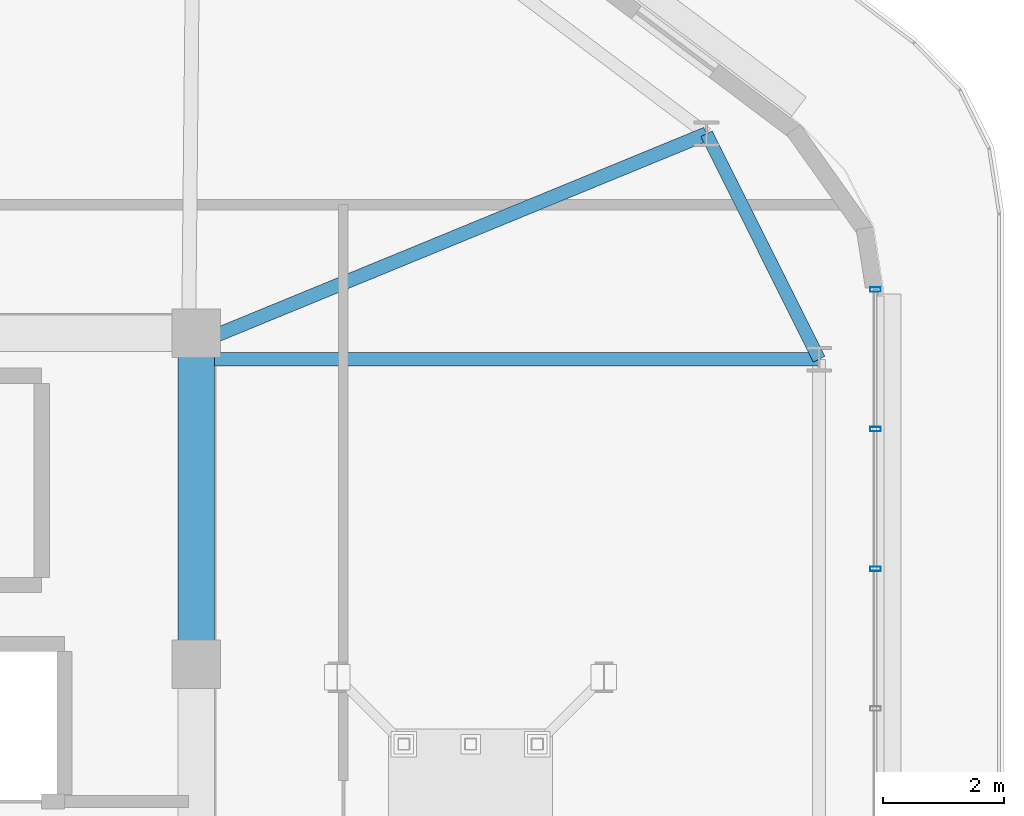
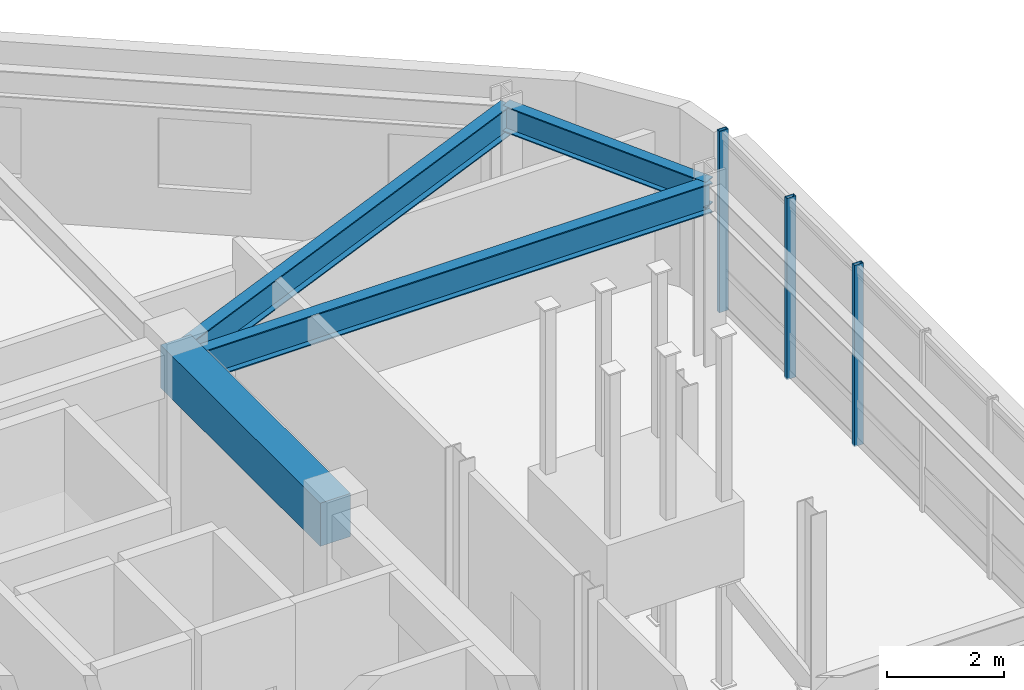
# One storey, part 4 of 13: 4 beams, 3 members, 1 element without a shape of its own.
"""IFC4 building model written with IfcOpenShell, lengths in metres."""

from ifc_helpers import new_model, si_unit, direction, frame, origin, origin_2d, place, context, subcontext, project, spatial, rectangle, hollow_rectangle, i_section, extrude, material, material_profile, profile_set, type_object, element, aggregate, save


model = new_model("IFC4")

# Units and contexts
model_context = context("Model", 3, precision=1e-05, world=origin(), true_north=direction((0.0, 1.0)))
body_context = subcontext(model_context, "Body", "Model", "MODEL_VIEW")
ifc_project = project(units=[si_unit("LENGTHUNIT", "METRE"), si_unit("AREAUNIT", "SQUARE_METRE"), si_unit("VOLUMEUNIT", "CUBIC_METRE"), si_unit("PLANEANGLEUNIT", "RADIAN"), si_unit("MASSUNIT", "GRAM", prefix="KILO")], contexts=[model_context])

# Site, building, storey
site_placement = place(None, origin())
site = spatial("IfcSite", under=ifc_project, at=site_placement, CompositionType="ELEMENT")
building_placement = place(site_placement, origin())
building = spatial("IfcBuilding", under=site, at=building_placement, Name="Zulverin Broadcast Headquarters", CompositionType="ELEMENT")
storey_placement = place(building_placement, frame((0.0, 0.0, 313.39990234375)))
storey = spatial("IfcBuildingStorey", under=building, at=storey_placement, Name="C1", CompositionType="ELEMENT", Elevation=313.39990234375)

# Beams
ifc_material_1 = material(Name="Concrete C60/75", Category="concrete")
ifc_material_profile_1 = material_profile(ifc_material_1, rectangle(XDim=0.60009765625, YDim=0.89990234375, at=origin_2d()), Name="Concrete C60/75", Category="concrete")
ifc_profile_set_1 = profile_set([ifc_material_profile_1], Name="Concrete C60/75")
beam_type_1 = type_object("IfcBeamType", Name="BM-CB-600x900", PredefinedType="LINTEL", material=ifc_profile_set_1)
beam_1_placement = place(storey_placement, frame((48.27490234375, 27.6201171875, 3.27001953125), z_axis=(0.0, 1.0, 0.0), x_axis=(-1.0, 0.0, 0.0)))
element("IfcBeam", 1, at=beam_1_placement, inside=storey, type_object=beam_type_1, Name="C1 Core Coupling Girder K04-K05", PredefinedType="LINTEL", context=body_context, shape_type="SweptSolid", body=[
    extrude(rectangle(XDim=0.60009765625, YDim=0.89990234375, at=origin_2d()), origin(), (0.0, 0.0, 1.0), 5.454833984375),
])
ifc_material_2 = material(Name="Structural steel S355JR", Category="steel")
ifc_material_profile_2 = material_profile(ifc_material_2, i_section(OverallWidth=0.2119140625, OverallDepth=0.54443359375, WebThickness=0.0126953125, FlangeThickness=0.021240234375, at=origin_2d()), Name="Structural steel S355JR", Category="steel")
ifc_profile_set_2 = profile_set([ifc_material_profile_2], Name="Structural steel S355JR")
beam_type_2 = type_object("IfcBeamType", Name="BM-UB-533", PredefinedType="SPANDREL", material=ifc_profile_set_2)
beam_2_placement = place(storey_placement, frame((58.550048828125, 32.648193359375, 3.447998046875), z_axis=(-0.446767242371, 0.894650228382, 0.0), x_axis=(-0.894650228382, -0.446767242371, 0.0)))
element("IfcBeam", 2, at=beam_2_placement, inside=storey, type_object=beam_type_2, Name="C1 Perimeter Spandrel Beam SP-06", PredefinedType="SPANDREL", context=body_context, shape_type="SweptSolid", body=[
    extrude(i_section(OverallWidth=0.2119140625, OverallDepth=0.54443359375, WebThickness=0.0126953125, FlangeThickness=0.021240234375, at=origin_2d()), origin(), (0.0, 0.0, 1.0), 4.157470703125),
])
ifc_material_profile_3 = material_profile(ifc_material_2, i_section(OverallWidth=0.230224609375, OverallDepth=0.6171875, WebThickness=0.01318359375, FlangeThickness=0.022216796875, at=origin_2d()), Name="Structural steel S355JR", Category="steel")
ifc_profile_set_3 = profile_set([ifc_material_profile_3], Name="Structural steel S355JR")
beam_type_3 = type_object("IfcBeamType", Name="BM-UB-610", PredefinedType="BEAM", material=ifc_profile_set_3)
beam_3_placement = place(storey_placement, frame((48.375, 32.648193359375, 3.411376953125), z_axis=(1.0, 0.0, 0.0), x_axis=(0.0, 1.0, 0.0)))
element("IfcBeam", 3, at=beam_3_placement, inside=storey, type_object=beam_type_3, Name="C1 Radial Primary Floor Beam RB-06", PredefinedType="BEAM", context=body_context, shape_type="SweptSolid", body=[
    extrude(i_section(OverallWidth=0.230224609375, OverallDepth=0.6171875, WebThickness=0.01318359375, FlangeThickness=0.022216796875, at=origin_2d()), origin(), (0.0, 0.0, 1.0), 10.175048828125),
])
beam_4_placement = place(storey_placement, frame((48.375, 32.949951171875, 3.411376953125), z_axis=(0.924958981097, 0.380066945798, 0.0), x_axis=(-0.380066945798, 0.924958981097, 0.0)))
element("IfcBeam", 4, at=beam_4_placement, inside=storey, type_object=beam_type_3, Name="C1 Radial Primary Floor Beam RB-07", PredefinedType="BEAM", context=body_context, shape_type="SweptSolid", body=[
    extrude(i_section(OverallWidth=0.230224609375, OverallDepth=0.6171875, WebThickness=0.01318359375, FlangeThickness=0.022216796875, at=origin_2d()), origin(), (0.0, 0.0, 1.0), 8.992431640625),
])

# Curtain wall, members
ifc_material_3 = material(Name="Crown damper-hall structural glass curtain wall", Category="glass")
curtain_wall_type = type_object("IfcCurtainWallType", Name="CW-CRN", PredefinedType="USERDEFINED", material=ifc_material_3)
curtain_wall_placement = place(storey_placement, origin())
curtain_wall = element("IfcCurtainWall", 5, at=curtain_wall_placement, inside=storey, type_object=curtain_wall_type, Name="C1 Unitised Curtain Wall CW-C1-E3", ObjectType="UNITISED CURTAIN WALL", PredefinedType="USERDEFINED")
ifc_material_4 = material(Name="Anodized pale-metal aluminium alloy 6063-T6", Category="aluminium")
ifc_material_profile_4 = material_profile(ifc_material_4, hollow_rectangle(XDim=0.074951171875, YDim=0.179931640625, WallThickness=0.0048828125, at=origin_2d()), Name="Anodized pale-metal aluminium alloy 6063-T6", Category="aluminium")
ifc_profile_set_4 = profile_set([ifc_material_profile_4], Name="Anodized pale-metal aluminium alloy 6063-T6")
member_type = type_object("IfcMemberType", Name="CW-MUL-180", PredefinedType="MULLION", material=ifc_profile_set_4)
member_1_placement = place(storey_placement, frame((59.47998046875, 29.190185546875, -0.02978515625), z_axis=(0.0, 0.0, 1.0), x_axis=(0.0, 1.0, 0.0)))
member_1 = element("IfcMember", 6, at=member_1_placement, type_object=member_type, Name="CW-C1-E3 Mullion 05", PredefinedType="MULLION", context=body_context, shape_type="SweptSolid", body=[
    extrude(hollow_rectangle(XDim=0.074951171875, YDim=0.179931640625, WallThickness=0.0048828125, at=origin_2d()), origin(), (0.0, 0.0, 1.0), 3.77978515625),
])
member_2_placement = place(storey_placement, frame((59.47998046875, 31.494140625, -0.02978515625), z_axis=(0.0, 0.0, 1.0), x_axis=(0.0, 1.0, 0.0)))
member_2 = element("IfcMember", 7, at=member_2_placement, type_object=member_type, Name="CW-C1-E3 Mullion 06", PredefinedType="MULLION", context=body_context, shape_type="SweptSolid", body=[
    extrude(hollow_rectangle(XDim=0.074951171875, YDim=0.179931640625, WallThickness=0.0048828125, at=origin_2d()), origin(), (0.0, 0.0, 1.0), 3.77978515625),
])
member_3_placement = place(storey_placement, frame((59.47998046875, 33.79833984375, -0.02978515625), z_axis=(0.0, 0.0, 1.0), x_axis=(0.0, 1.0, 0.0)))
member_3 = element("IfcMember", 8, at=member_3_placement, type_object=member_type, Name="CW-C1-E3 Mullion 07", PredefinedType="MULLION", context=body_context, shape_type="SweptSolid", body=[
    extrude(hollow_rectangle(XDim=0.074951171875, YDim=0.179931640625, WallThickness=0.0048828125, at=origin_2d()), origin(), (0.0, 0.0, 1.0), 3.77978515625),
])
aggregate(curtain_wall, [member_1, member_2, member_3])

save(model, "model.ifc")
